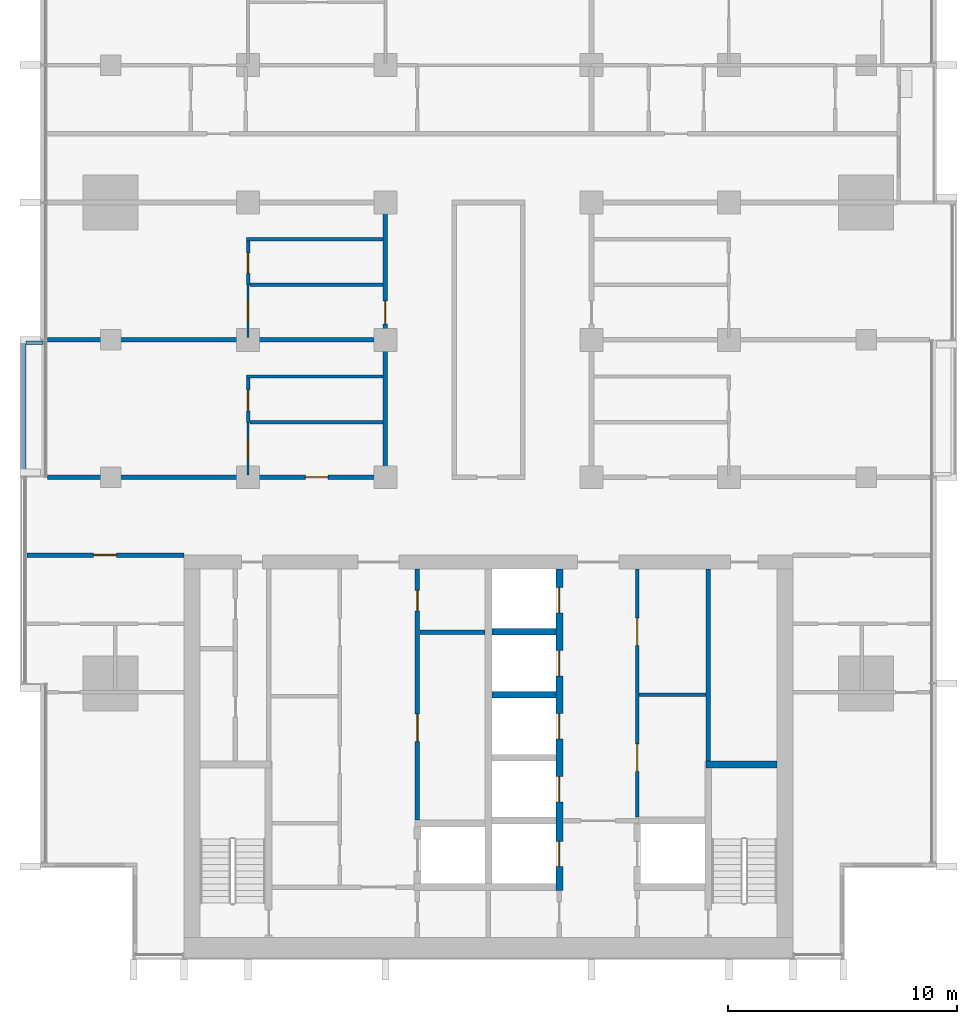
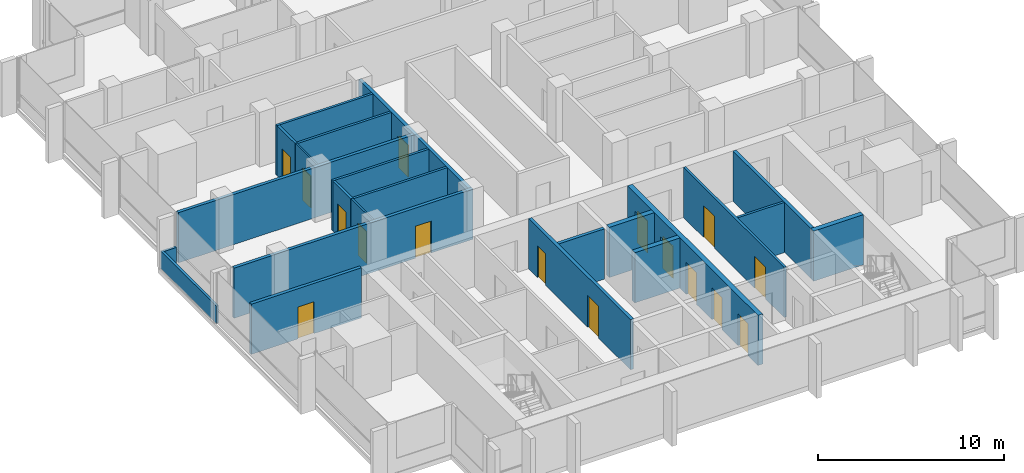
# One storey, part 8 of 16: 23 walls, 16 doors, 16 openings.
"""IFC4 building model written with IfcOpenShell, lengths in metres."""

from ifc_helpers import new_model, si_unit, direction, frame, frame_2d, origin, place, context, subcontext, project, spatial, rectangle, extrude, material, layer, layer_set, type_object, element, fill, save


model = new_model("IFC4")

# Units and contexts
model_context = context("Model", 3, precision=1e-05, world=origin(), true_north=direction((0.0, 1.0)))
body_context = subcontext(model_context, "Body", "Model", "MODEL_VIEW")
ifc_project = project(units=[si_unit("LENGTHUNIT", "METRE"), si_unit("AREAUNIT", "SQUARE_METRE"), si_unit("VOLUMEUNIT", "CUBIC_METRE"), si_unit("PLANEANGLEUNIT", "RADIAN"), si_unit("MASSUNIT", "GRAM", prefix="KILO")], contexts=[model_context])

# Site, building, storey
site_placement = place(None, origin())
site = spatial("IfcSite", under=ifc_project, at=site_placement, CompositionType="ELEMENT")
building_placement = place(site_placement, origin())
building = spatial("IfcBuilding", under=site, at=building_placement, Name="Finial Court Residences", CompositionType="ELEMENT")
storey_placement = place(building_placement, frame((0.0, 0.0, 160.10009765625)))
storey = spatial("IfcBuildingStorey", under=building, at=storey_placement, Name="L39", CompositionType="ELEMENT", Elevation=160.10009765625)

# Walls
ifc_material_1 = material(Name="Gypsum board")
ifc_layer_1 = layer(ifc_material_1, 0.02490234375)
ifc_material_2 = material(Name="Acoustic mineral wool in double frame")
ifc_layer_2 = layer(ifc_material_2, 0.14990234375)
ifc_layer_3 = layer(ifc_material_1, 0.02490234375)
ifc_layer_set_1 = layer_set([ifc_layer_1, ifc_layer_2, ifc_layer_3], Name="Acoustic party wall 200, 1 hour")
wall_type_1 = type_object("IfcWallType", Name="Acoustic party wall 200, 1 hour", PredefinedType="PARTITIONING", material=ifc_layer_set_1)
wall_1_placement = place(storey_placement, frame((-19.262451171875, 1.5, 0.0), z_axis=(0.0, 0.0, 1.0), x_axis=(1.0, 0.0, 0.0)))
element("IfcWall", 1, at=wall_1_placement, inside=storey, type_object=wall_type_1, Name="Partition L39-013", PredefinedType="PARTITIONING", context=body_context, shape_type="SweptSolid", body=[
    extrude(rectangle(XDim=14.662353515625, YDim=0.199951171875, at=frame_2d((7.3310546875, 0.0))), origin(), (0.0, 0.0, 1.0), 3.2998046875),
])
ifc_material_3 = material(Name="Fire-rated gypsum board partition")
ifc_layer_4 = layer(ifc_material_3, 0.14990234375)
ifc_layer_set_2 = layer_set([ifc_layer_4], Name="Core room partition 150 EI 60")
wall_type_2 = type_object("IfcWallType", Name="Core room partition 150 EI 60", PredefinedType="PARTITIONING", material=ifc_layer_set_2)
wall_2_placement = place(storey_placement, frame((6.574951171875, -14.0, 0.0), z_axis=(0.0, 0.0, 1.0), x_axis=(1.0, 0.0, 0.0)))
element("IfcWall", 2, at=wall_2_placement, inside=storey, type_object=wall_type_2, Name="Core partition L39-14", PredefinedType="PARTITIONING", context=body_context, shape_type="SweptSolid", body=[
    extrude(rectangle(XDim=2.925048828125, YDim=0.14990234375, at=frame_2d((1.46240234375, 0.0))), origin(), (0.0, 0.0, 1.0), 3.2998046875),
])

# Wall, openings, doors
wall_3_placement = place(storey_placement, frame((6.5, -8.5, 0.0), z_axis=(0.0, 0.0, 1.0), x_axis=(0.0, -1.0, 0.0)))
wall_3 = element("IfcWall", 3, at=wall_3_placement, inside=storey, type_object=wall_type_2, Name="Core partition L39-32", PredefinedType="PARTITIONING", context=body_context, shape_type="SweptSolid", body=[
    extrude(rectangle(XDim=10.85009765625, YDim=0.14990234375, at=frame_2d((5.425048828125, 0.0))), origin(), (0.0, 0.0, 1.0), 3.2998046875),
])
opening_1_placement = place(wall_3_placement, frame((7.64990234375, 0.0, 0.0)))
opening_1 = element("IfcOpeningElement", 4, at=opening_1_placement, cuts=wall_3, Name="Opening L39-C17", PredefinedType="OPENING", context=body_context, shape_type="SweptSolid", body=[
    extrude(rectangle(XDim=1.199951171875, YDim=2.10009765625, at=frame_2d((0.60009765625, 1.050048828125))), frame((0.0, 0.0849609375, 0.0), z_axis=(0.0, -1.0, 0.0), x_axis=(1.0, 0.0, 0.0)), (0.0, 0.0, 1.0), 0.169921875),
])
opening_2_placement = place(wall_3_placement, frame((2.14990234375, 0.0, 0.0)))
opening_2 = element("IfcOpeningElement", 5, at=opening_2_placement, cuts=wall_3, Name="Opening L39-C18", PredefinedType="OPENING", context=body_context, shape_type="SweptSolid", body=[
    extrude(rectangle(XDim=1.199951171875, YDim=2.10009765625, at=frame_2d((0.60009765625, 1.050048828125))), frame((0.0, 0.0849609375, 0.0), z_axis=(0.0, -1.0, 0.0), x_axis=(1.0, 0.0, 0.0)), (0.0, 0.0, 1.0), 0.169921875),
])
ifc_material_4 = material(Name="Steel fire door", Category="steel")
door_type_1 = type_object("IfcDoorType", Name="Core room door 1200 x 2100 EI 60", OperationType="NOTDEFINED", PredefinedType="DOOR", material=ifc_material_4)
door_1_placement = place(opening_1_placement, origin())
door_1 = element("IfcDoor", 6, at=door_1_placement, inside=storey, type_object=door_type_1, Name="Core room door L39-C17", OperationType="SINGLE_SWING_RIGHT", OverallHeight=2.10009765625, OverallWidth=1.199951171875, PredefinedType="DOOR", context=body_context, shape_type="SweptSolid", body=[
    extrude(rectangle(XDim=1.199951171875, YDim=2.10009765625, at=frame_2d((0.60009765625, 1.050048828125))), frame((0.0, 0.02490234375, 0.0), z_axis=(0.0, -1.0, 0.0), x_axis=(1.0, 0.0, 0.0)), (0.0, 0.0, 1.0), 0.050048828125),
])
fill(opening_1, door_1)
door_2_placement = place(opening_2_placement, origin())
door_2 = element("IfcDoor", 7, at=door_2_placement, inside=storey, type_object=door_type_1, Name="Core room door L39-C18", OperationType="SINGLE_SWING_RIGHT", OverallHeight=2.10009765625, OverallWidth=1.199951171875, PredefinedType="DOOR", context=body_context, shape_type="SweptSolid", body=[
    extrude(rectangle(XDim=1.199951171875, YDim=2.10009765625, at=frame_2d((0.60009765625, 1.050048828125))), frame((0.0, 0.02490234375, 0.0), z_axis=(0.0, -1.0, 0.0), x_axis=(1.0, 0.0, 0.0)), (0.0, 0.0, 1.0), 0.050048828125),
])
fill(opening_2, door_2)

# Wall, opening, door
ifc_layer_5 = layer(ifc_material_1, 0.02490234375)
ifc_layer_6 = layer(ifc_material_2, 0.14990234375)
ifc_layer_7 = layer(ifc_material_1, 0.02490234375)
ifc_layer_set_3 = layer_set([ifc_layer_5, ifc_layer_6, ifc_layer_7], Name="Corridor wall 200, 1 hour")
wall_type_3 = type_object("IfcWallType", Name="Corridor wall 200, 1 hour", PredefinedType="PARTITIONING", material=ifc_layer_set_3)
wall_4_placement = place(storey_placement, frame((-20.16259765625, -7.89990234375, 0.0), z_axis=(0.0, 0.0, 1.0), x_axis=(1.0, 0.0, 0.0)))
wall_4 = element("IfcWall", 8, at=wall_4_placement, inside=storey, type_object=wall_type_3, Name="Partition L39-004", PredefinedType="PARTITIONING", context=body_context, shape_type="SweptSolid", body=[
    extrude(rectangle(XDim=6.862548828125, YDim=0.199951171875, at=frame_2d((3.43115234375, 0.0))), origin(), (0.0, 0.0, 1.0), 3.2998046875),
])
opening_3_placement = place(wall_4_placement, frame((2.9130859375, 0.0, 0.0)))
opening_3 = element("IfcOpeningElement", 9, at=opening_3_placement, cuts=wall_4, Name="Opening L39-D007", PredefinedType="OPENING", context=body_context, shape_type="SweptSolid", body=[
    extrude(rectangle(XDim=1.0, YDim=2.10009765625, at=frame_2d((0.5, 1.050048828125))), frame((0.0, 0.10986328125, 0.0), z_axis=(0.0, -1.0, 0.0), x_axis=(1.0, 0.0, 0.0)), (0.0, 0.0, 1.0), 0.219970703125),
])
ifc_material_5 = material(Name="Timber door leaf in hollow metal frame", Category="wood")
door_type_2 = type_object("IfcDoorType", Name="Fire door set 1000 x 2100, 30 minutes", OperationType="SINGLE_SWING_LEFT", PredefinedType="DOOR", material=ifc_material_5)
door_3_placement = place(opening_3_placement, origin())
door_3 = element("IfcDoor", 10, at=door_3_placement, inside=storey, type_object=door_type_2, Name="Door L39-D007", OperationType="SINGLE_SWING_LEFT", OverallHeight=2.10009765625, OverallWidth=1.0, PredefinedType="DOOR", context=body_context, shape_type="SweptSolid", body=[
    extrude(rectangle(XDim=1.0, YDim=2.10009765625, at=frame_2d((0.5, 1.050048828125))), frame((0.0, 0.02490234375, 0.0), z_axis=(0.0, -1.0, 0.0), x_axis=(1.0, 0.0, 0.0)), (0.0, 0.0, 1.0), 0.050048828125),
])
fill(opening_3, door_3)

wall_5_placement = place(storey_placement, frame((-19.262451171875, -4.5, 0.0), z_axis=(0.0, 0.0, 1.0), x_axis=(1.0, 0.0, 0.0)))
wall_5 = element("IfcWall", 11, at=wall_5_placement, inside=storey, type_object=wall_type_3, Name="Partition L39-006", PredefinedType="PARTITIONING", context=body_context, shape_type="SweptSolid", body=[
    extrude(rectangle(XDim=14.862548828125, YDim=0.199951171875, at=frame_2d((7.43115234375, 0.0))), origin(), (0.0, 0.0, 1.0), 3.2998046875),
])
opening_4_placement = place(wall_5_placement, frame((11.261962890625, 0.0, 0.0)))
opening_4 = element("IfcOpeningElement", 12, at=opening_4_placement, cuts=wall_5, Name="Opening L39-D009", PredefinedType="OPENING", context=body_context, shape_type="SweptSolid", body=[
    extrude(rectangle(XDim=1.0, YDim=2.10009765625, at=frame_2d((0.5, 1.050048828125))), frame((0.0, 0.10986328125, 0.0), z_axis=(0.0, -1.0, 0.0), x_axis=(1.0, 0.0, 0.0)), (0.0, 0.0, 1.0), 0.219970703125),
])
door_4_placement = place(opening_4_placement, origin())
door_4 = element("IfcDoor", 13, at=door_4_placement, inside=storey, type_object=door_type_2, Name="Door L39-D009", OperationType="SINGLE_SWING_LEFT", OverallHeight=2.10009765625, OverallWidth=1.0, PredefinedType="DOOR", context=body_context, shape_type="SweptSolid", body=[
    extrude(rectangle(XDim=1.0, YDim=2.10009765625, at=frame_2d((0.5, 1.050048828125))), frame((0.0, 0.02490234375, 0.0), z_axis=(0.0, -1.0, 0.0), x_axis=(1.0, 0.0, 0.0)), (0.0, 0.0, 1.0), 0.050048828125),
])
fill(opening_4, door_4)

wall_6_placement = place(storey_placement, frame((-4.5, -4.39990234375, 0.0), z_axis=(0.0, 0.0, 1.0), x_axis=(0.0, 1.0, 0.0)))
wall_6 = element("IfcWall", 14, at=wall_6_placement, inside=storey, type_object=wall_type_3, Name="Partition L39-042", PredefinedType="PARTITIONING", context=body_context, shape_type="SweptSolid", body=[
    extrude(rectangle(XDim=11.7998046875, YDim=0.199951171875, at=frame_2d((5.89990234375, 0.0))), origin(), (0.0, 0.0, 1.0), 3.2998046875),
])
opening_5_placement = place(wall_6_placement, frame((6.60009765625, 0.0, 0.0)))
opening_5 = element("IfcOpeningElement", 15, at=opening_5_placement, cuts=wall_6, Name="Opening L39-D025", PredefinedType="OPENING", context=body_context, shape_type="SweptSolid", body=[
    extrude(rectangle(XDim=1.0, YDim=2.10009765625, at=frame_2d((0.5, 1.050048828125))), frame((0.0, 0.10986328125, 0.0), z_axis=(0.0, -1.0, 0.0), x_axis=(1.0, 0.0, 0.0)), (0.0, 0.0, 1.0), 0.219970703125),
])
door_5_placement = place(opening_5_placement, origin())
door_5 = element("IfcDoor", 16, at=door_5_placement, inside=storey, type_object=door_type_2, Name="Door L39-D025", OperationType="SINGLE_SWING_LEFT", OverallHeight=2.10009765625, OverallWidth=1.0, PredefinedType="DOOR", context=body_context, shape_type="SweptSolid", body=[
    extrude(rectangle(XDim=1.0, YDim=2.10009765625, at=frame_2d((0.5, 1.050048828125))), frame((0.0, 0.02490234375, 0.0), z_axis=(0.0, -1.0, 0.0), x_axis=(1.0, 0.0, 0.0)), (0.0, 0.0, 1.0), 0.050048828125),
])
fill(opening_5, door_5)

ifc_layer_8 = layer(ifc_material_1, 0.012451171875)
ifc_material_6 = material(Name="Mineral wool in light-gauge frame")
ifc_layer_9 = layer(ifc_material_6, 0.074951171875)
ifc_layer_10 = layer(ifc_material_1, 0.012451171875)
ifc_layer_set_4 = layer_set([ifc_layer_8, ifc_layer_9, ifc_layer_10], Name="Gypsum board partition 100")
wall_type_4 = type_object("IfcWallType", Name="Gypsum board partition 100", PredefinedType="PARTITIONING", material=ifc_layer_set_4)
wall_7_placement = place(storey_placement, frame((-10.5, -4.39990234375, 0.0), z_axis=(0.0, 0.0, 1.0), x_axis=(0.0, 1.0, 0.0)))
wall_7 = element("IfcWall", 17, at=wall_7_placement, inside=storey, type_object=wall_type_4, Name="Partition L39-037", PredefinedType="PARTITIONING", context=body_context, shape_type="SweptSolid", body=[
    extrude(rectangle(XDim=2.2998046875, YDim=0.10009765625, at=frame_2d((1.14990234375, 0.0))), origin(), (0.0, 0.0, 1.0), 3.2998046875),
])
opening_6_placement = place(wall_7_placement, frame((0.699951171875, 0.0, 0.0)))
opening_6 = element("IfcOpeningElement", 18, at=opening_6_placement, cuts=wall_7, Name="Opening L39-D020", PredefinedType="OPENING", context=body_context, shape_type="SweptSolid", body=[
    extrude(rectangle(XDim=0.89990234375, YDim=2.10009765625, at=frame_2d((0.449951171875, 1.050048828125))), frame((0.0, 0.06005859375, 0.0), z_axis=(0.0, -1.0, 0.0), x_axis=(1.0, 0.0, 0.0)), (0.0, 0.0, 1.0), 0.1201171875),
])
ifc_material_7 = material(Name="Timber door leaf in timber frame", Category="wood")
door_type_3 = type_object("IfcDoorType", Name="Door set 900 x 2100", OperationType="SINGLE_SWING_LEFT", PredefinedType="DOOR", material=ifc_material_7)
door_6_placement = place(opening_6_placement, origin())
door_6 = element("IfcDoor", 19, at=door_6_placement, inside=storey, type_object=door_type_3, Name="Door L39-D020", OperationType="SINGLE_SWING_RIGHT", OverallHeight=2.10009765625, OverallWidth=0.89990234375, PredefinedType="DOOR", context=body_context, shape_type="SweptSolid", body=[
    extrude(rectangle(XDim=0.89990234375, YDim=2.10009765625, at=frame_2d((0.449951171875, 1.050048828125))), frame((0.0, 0.02490234375, 0.0), z_axis=(0.0, -1.0, 0.0), x_axis=(1.0, 0.0, 0.0)), (0.0, 0.0, 1.0), 0.050048828125),
])
fill(opening_6, door_6)

wall_8_placement = place(storey_placement, frame((-10.5, 1.60009765625, 0.0), z_axis=(0.0, 0.0, 1.0), x_axis=(0.0, 1.0, 0.0)))
wall_8 = element("IfcWall", 20, at=wall_8_placement, inside=storey, type_object=wall_type_4, Name="Partition L39-038", PredefinedType="PARTITIONING", context=body_context, shape_type="SweptSolid", body=[
    extrude(rectangle(XDim=2.2998046875, YDim=0.10009765625, at=frame_2d((1.14990234375, 0.0))), origin(), (0.0, 0.0, 1.0), 3.2998046875),
])
opening_7_placement = place(wall_8_placement, frame((0.699951171875, 0.0, 0.0)))
opening_7 = element("IfcOpeningElement", 21, at=opening_7_placement, cuts=wall_8, Name="Opening L39-D021", PredefinedType="OPENING", context=body_context, shape_type="SweptSolid", body=[
    extrude(rectangle(XDim=0.89990234375, YDim=2.10009765625, at=frame_2d((0.449951171875, 1.050048828125))), frame((0.0, 0.06005859375, 0.0), z_axis=(0.0, -1.0, 0.0), x_axis=(1.0, 0.0, 0.0)), (0.0, 0.0, 1.0), 0.1201171875),
])
door_7_placement = place(opening_7_placement, origin())
door_7 = element("IfcDoor", 22, at=door_7_placement, inside=storey, type_object=door_type_3, Name="Door L39-D021", OperationType="SINGLE_SWING_LEFT", OverallHeight=2.10009765625, OverallWidth=0.89990234375, PredefinedType="DOOR", context=body_context, shape_type="SweptSolid", body=[
    extrude(rectangle(XDim=0.89990234375, YDim=2.10009765625, at=frame_2d((0.449951171875, 1.050048828125))), frame((0.0, 0.02490234375, 0.0), z_axis=(0.0, -1.0, 0.0), x_axis=(1.0, 0.0, 0.0)), (0.0, 0.0, 1.0), 0.050048828125),
])
fill(opening_7, door_7)

# Walls
ifc_material_8 = material(Name="Moisture-resistant gypsum board")
ifc_layer_11 = layer(ifc_material_8, 0.012451171875)
ifc_layer_12 = layer(ifc_material_6, 0.125)
ifc_layer_13 = layer(ifc_material_8, 0.012451171875)
ifc_layer_set_5 = layer_set([ifc_layer_11, ifc_layer_12, ifc_layer_13], Name="Gypsum board wet-area partition 150")
wall_type_5 = type_object("IfcWallType", Name="Gypsum board wet-area partition 150", PredefinedType="PARTITIONING", material=ifc_layer_set_5)
wall_9_placement = place(storey_placement, frame((-10.425048828125, -2.10009765625, 0.0), z_axis=(0.0, 0.0, 1.0), x_axis=(1.0, 0.0, 0.0)))
element("IfcWall", 23, at=wall_9_placement, inside=storey, type_object=wall_type_5, Name="Partition L39-009", PredefinedType="PARTITIONING", context=body_context, shape_type="SweptSolid", body=[
    extrude(rectangle(XDim=5.824951171875, YDim=0.14990234375, at=frame_2d((2.91259765625, 0.0))), origin(), (0.0, 0.0, 1.0), 3.2998046875),
])
wall_10_placement = place(storey_placement, frame((-10.574951171875, -0.10009765625, 0.0), z_axis=(0.0, 0.0, 1.0), x_axis=(1.0, 0.0, 0.0)))
element("IfcWall", 24, at=wall_10_placement, inside=storey, type_object=wall_type_5, Name="Partition L39-011", PredefinedType="PARTITIONING", context=body_context, shape_type="SweptSolid", body=[
    extrude(rectangle(XDim=5.974853515625, YDim=0.14990234375, at=frame_2d((2.9873046875, 0.0))), origin(), (0.0, 0.0, 1.0), 3.2998046875),
])
wall_11_placement = place(storey_placement, frame((-10.425048828125, 3.89990234375, 0.0), z_axis=(0.0, 0.0, 1.0), x_axis=(1.0, 0.0, 0.0)))
element("IfcWall", 25, at=wall_11_placement, inside=storey, type_object=wall_type_5, Name="Partition L39-015", PredefinedType="PARTITIONING", context=body_context, shape_type="SweptSolid", body=[
    extrude(rectangle(XDim=5.824951171875, YDim=0.14990234375, at=frame_2d((2.91259765625, 0.0))), origin(), (0.0, 0.0, 1.0), 3.2998046875),
])
wall_12_placement = place(storey_placement, frame((-10.574951171875, 5.89990234375, 0.0), z_axis=(0.0, 0.0, 1.0), x_axis=(1.0, 0.0, 0.0)))
element("IfcWall", 26, at=wall_12_placement, inside=storey, type_object=wall_type_5, Name="Partition L39-017", PredefinedType="PARTITIONING", context=body_context, shape_type="SweptSolid", body=[
    extrude(rectangle(XDim=5.974853515625, YDim=0.14990234375, at=frame_2d((2.9873046875, 0.0))), origin(), (0.0, 0.0, 1.0), 3.2998046875),
])

# Wall, opening, door
wall_13_placement = place(storey_placement, frame((-10.5, -2.10009765625, 0.0), z_axis=(0.0, 0.0, 1.0), x_axis=(0.0, 1.0, 0.0)))
wall_13 = element("IfcWall", 27, at=wall_13_placement, inside=storey, type_object=wall_type_5, Name="Partition L39-040", PredefinedType="PARTITIONING", context=body_context, shape_type="SweptSolid", body=[
    extrude(rectangle(XDim=1.925048828125, YDim=0.14990234375, at=frame_2d((0.96240234375, 0.0))), origin(), (0.0, 0.0, 1.0), 3.2998046875),
])
opening_8_placement = place(wall_13_placement, frame((0.5, 0.0, 0.0)))
opening_8 = element("IfcOpeningElement", 28, at=opening_8_placement, cuts=wall_13, Name="Opening L39-D023", PredefinedType="OPENING", context=body_context, shape_type="SweptSolid", body=[
    extrude(rectangle(XDim=0.89990234375, YDim=2.10009765625, at=frame_2d((0.449951171875, 1.050048828125))), frame((0.0, 0.0849609375, 0.0), z_axis=(0.0, -1.0, 0.0), x_axis=(1.0, 0.0, 0.0)), (0.0, 0.0, 1.0), 0.169921875),
])
door_8_placement = place(opening_8_placement, origin())
door_8 = element("IfcDoor", 29, at=door_8_placement, inside=storey, type_object=door_type_3, Name="Door L39-D023", OperationType="SINGLE_SWING_RIGHT", OverallHeight=2.10009765625, OverallWidth=0.89990234375, PredefinedType="DOOR", context=body_context, shape_type="SweptSolid", body=[
    extrude(rectangle(XDim=0.89990234375, YDim=2.10009765625, at=frame_2d((0.449951171875, 1.050048828125))), frame((0.0, 0.02490234375, 0.0), z_axis=(0.0, -1.0, 0.0), x_axis=(1.0, 0.0, 0.0)), (0.0, 0.0, 1.0), 0.050048828125),
])
fill(opening_8, door_8)

wall_14_placement = place(storey_placement, frame((-10.5, 3.89990234375, 0.0), z_axis=(0.0, 0.0, 1.0), x_axis=(0.0, 1.0, 0.0)))
wall_14 = element("IfcWall", 30, at=wall_14_placement, inside=storey, type_object=wall_type_5, Name="Partition L39-041", PredefinedType="PARTITIONING", context=body_context, shape_type="SweptSolid", body=[
    extrude(rectangle(XDim=1.925048828125, YDim=0.14990234375, at=frame_2d((0.96240234375, 0.0))), origin(), (0.0, 0.0, 1.0), 3.2998046875),
])
opening_9_placement = place(wall_14_placement, frame((0.5, 0.0, 0.0)))
opening_9 = element("IfcOpeningElement", 31, at=opening_9_placement, cuts=wall_14, Name="Opening L39-D024", PredefinedType="OPENING", context=body_context, shape_type="SweptSolid", body=[
    extrude(rectangle(XDim=0.89990234375, YDim=2.10009765625, at=frame_2d((0.449951171875, 1.050048828125))), frame((0.0, 0.0849609375, 0.0), z_axis=(0.0, -1.0, 0.0), x_axis=(1.0, 0.0, 0.0)), (0.0, 0.0, 1.0), 0.169921875),
])
door_9_placement = place(opening_9_placement, origin())
door_9 = element("IfcDoor", 32, at=door_9_placement, inside=storey, type_object=door_type_3, Name="Door L39-D024", OperationType="SINGLE_SWING_LEFT", OverallHeight=2.10009765625, OverallWidth=0.89990234375, PredefinedType="DOOR", context=body_context, shape_type="SweptSolid", body=[
    extrude(rectangle(XDim=0.89990234375, YDim=2.10009765625, at=frame_2d((0.449951171875, 1.050048828125))), frame((0.0, 0.02490234375, 0.0), z_axis=(0.0, -1.0, 0.0), x_axis=(1.0, 0.0, 0.0)), (0.0, 0.0, 1.0), 0.050048828125),
])
fill(opening_9, door_9)

# Walls
ifc_material_9 = material(Name="Concrete C35/45", Category="concrete")
ifc_layer_14 = layer(ifc_material_9, 0.14990234375)
ifc_layer_set_6 = layer_set([ifc_layer_14], Name="Ledge parapet, Concrete C35/45 150")
wall_type_6 = type_object("IfcWallType", Name="Ledge parapet, Concrete C35/45 150", PredefinedType="PARAPET", material=ifc_layer_set_6)
wall_15_placement = place(storey_placement, frame((-20.27490234375, -4.552490234375, 0.0), z_axis=(0.0, 0.0, 1.0), x_axis=(0.0, 1.0, 0.0)))
element("IfcWall", 33, at=wall_15_placement, inside=storey, type_object=wall_type_6, Name="E-L39-LED2-P1", PredefinedType="PARAPET", context=body_context, shape_type="SweptSolid", body=[
    extrude(rectangle(XDim=6.00244140625, YDim=0.14990234375, at=frame_2d((3.001220703125, 0.0))), origin(), (0.0, 0.0, 1.0), 1.14990234375),
])
wall_16_placement = place(storey_placement, frame((-20.199951171875, 1.375, 0.0), z_axis=(0.0, 0.0, 1.0), x_axis=(1.0, 0.0, 0.0)))
element("IfcWall", 34, at=wall_16_placement, inside=storey, type_object=wall_type_6, Name="E-L39-LED2-P2", PredefinedType="PARAPET", context=body_context, shape_type="SweptSolid", body=[
    extrude(rectangle(XDim=0.75244140625, YDim=0.14990234375, at=frame_2d((0.376220703125, 0.0))), origin(), (0.0, 0.0, 1.0), 1.14990234375),
])
ifc_material_10 = material(Name="Concrete C70/85", Category="concrete")
ifc_layer_15 = layer(ifc_material_10, 0.300048828125)
ifc_layer_set_7 = layer_set([ifc_layer_15], Name="Lift shaft and stair wall 300 Concrete C70/85")
wall_type_7 = type_object("IfcWallType", Name="Lift shaft and stair wall 300 Concrete C70/85", PredefinedType="SHEAR", material=ifc_layer_set_7)
wall_17_placement = place(storey_placement, frame((9.5, -17.050048828125, 0.0), z_axis=(0.0, 0.0, 1.0), x_axis=(1.0, 0.0, 0.0)))
element("IfcWall", 35, at=wall_17_placement, inside=storey, type_object=wall_type_7, Name="Core wall L39-10", PredefinedType="SHEAR", context=body_context, shape_type="SweptSolid", body=[
    extrude(rectangle(XDim=3.10009765625, YDim=0.300048828125, at=frame_2d((1.550048828125, 0.0))), origin(), (0.0, 0.0, 1.0), 3.2998046875),
])
for number, where, z_axis, x_axis, name in (
    (36, (0.14990234375, -14.0, 0.0), (0.0, 0.0, 1.0), (1.0, 0.0, 0.0), "Core wall L39-13"),
    (37, (0.14990234375, -11.25, 0.0), (0.0, 0.0, 1.0), (1.0, 0.0, 0.0), "Core wall L39-17"),
):
    element("IfcWall", number, at=place(storey_placement, frame(where, z_axis=z_axis, x_axis=x_axis)), inside=storey, type_object=wall_type_7, Name=name, PredefinedType="SHEAR", context=body_context, shape_type="SweptSolid", body=[
        extrude(rectangle(XDim=2.800048828125, YDim=0.300048828125, at=frame_2d((1.39990234375, 0.0))), origin(), (0.0, 0.0, 1.0), 3.2998046875),
    ])

# Wall, openings, doors
wall_18_placement = place(storey_placement, frame((3.10009765625, -22.550048828125, 0.0), z_axis=(0.0, 0.0, 1.0), x_axis=(0.0, 1.0, 0.0)))
wall_18 = element("IfcWall", 38, at=wall_18_placement, inside=storey, type_object=wall_type_7, Name="Core wall L39-29", PredefinedType="SHEAR", context=body_context, shape_type="SweptSolid", body=[
    extrude(rectangle(XDim=14.050048828125, YDim=0.300048828125, at=frame_2d((7.02490234375, 0.0))), origin(), (0.0, 0.0, 1.0), 3.2998046875),
])
opening_10_placement = place(wall_18_placement, frame((1.050048828125, 0.0, 0.0)))
opening_10 = element("IfcOpeningElement", 39, at=opening_10_placement, cuts=wall_18, Name="Opening L39-LD01", PredefinedType="OPENING", context=body_context, shape_type="SweptSolid", body=[
    extrude(rectangle(XDim=1.10009765625, YDim=2.10009765625, at=frame_2d((0.550048828125, 1.050048828125))), frame((0.0, 0.159912109375, 0.0), z_axis=(0.0, -1.0, 0.0), x_axis=(1.0, 0.0, 0.0)), (0.0, 0.0, 1.0), 0.320068359375),
])
opening_11_placement = place(wall_18_placement, frame((3.875, 0.0, 0.0)))
opening_11 = element("IfcOpeningElement", 40, at=opening_11_placement, cuts=wall_18, Name="Opening L39-LD03", PredefinedType="OPENING", context=body_context, shape_type="SweptSolid", body=[
    extrude(rectangle(XDim=1.10009765625, YDim=2.10009765625, at=frame_2d((0.550048828125, 1.050048828125))), frame((0.0, 0.159912109375, 0.0), z_axis=(0.0, -1.0, 0.0), x_axis=(1.0, 0.0, 0.0)), (0.0, 0.0, 1.0), 0.320068359375),
])
opening_12_placement = place(wall_18_placement, frame((6.625, 0.0, 0.0)))
opening_12 = element("IfcOpeningElement", 41, at=opening_12_placement, cuts=wall_18, Name="Opening L39-LD04", PredefinedType="OPENING", context=body_context, shape_type="SweptSolid", body=[
    extrude(rectangle(XDim=1.10009765625, YDim=2.10009765625, at=frame_2d((0.550048828125, 1.050048828125))), frame((0.0, 0.159912109375, 0.0), z_axis=(0.0, -1.0, 0.0), x_axis=(1.0, 0.0, 0.0)), (0.0, 0.0, 1.0), 0.320068359375),
])
opening_13_placement = place(wall_18_placement, frame((9.375, 0.0, 0.0)))
opening_13 = element("IfcOpeningElement", 42, at=opening_13_placement, cuts=wall_18, Name="Opening L39-LD05", PredefinedType="OPENING", context=body_context, shape_type="SweptSolid", body=[
    extrude(rectangle(XDim=1.10009765625, YDim=2.10009765625, at=frame_2d((0.550048828125, 1.050048828125))), frame((0.0, 0.159912109375, 0.0), z_axis=(0.0, -1.0, 0.0), x_axis=(1.0, 0.0, 0.0)), (0.0, 0.0, 1.0), 0.320068359375),
])
opening_14_placement = place(wall_18_placement, frame((12.125, 0.0, 0.0)))
opening_14 = element("IfcOpeningElement", 43, at=opening_14_placement, cuts=wall_18, Name="Opening L39-LD06", PredefinedType="OPENING", context=body_context, shape_type="SweptSolid", body=[
    extrude(rectangle(XDim=1.10009765625, YDim=2.10009765625, at=frame_2d((0.550048828125, 1.050048828125))), frame((0.0, 0.159912109375, 0.0), z_axis=(0.0, -1.0, 0.0), x_axis=(1.0, 0.0, 0.0)), (0.0, 0.0, 1.0), 0.320068359375),
])
ifc_material_11 = material(Name="Stainless steel lift door", Category="steel")
door_type_4 = type_object("IfcDoorType", Name="Lift landing door 1100 x 2100 EI 90", OperationType="DOUBLE_DOOR_SLIDING", PredefinedType="DOOR", material=ifc_material_11)
door_10_placement = place(opening_10_placement, origin())
door_10 = element("IfcDoor", 44, at=door_10_placement, inside=storey, type_object=door_type_4, Name="Lift landing door FF1 L39", OperationType="DOUBLE_DOOR_SLIDING", OverallHeight=2.10009765625, OverallWidth=1.10009765625, PredefinedType="DOOR", context=body_context, shape_type="SweptSolid", body=[
    extrude(rectangle(XDim=1.10009765625, YDim=2.10009765625, at=frame_2d((0.550048828125, 1.050048828125))), frame((0.0, 0.02490234375, 0.0), z_axis=(0.0, -1.0, 0.0), x_axis=(1.0, 0.0, 0.0)), (0.0, 0.0, 1.0), 0.050048828125),
])
fill(opening_10, door_10)
door_11_placement = place(opening_11_placement, origin())
door_11 = element("IfcDoor", 45, at=door_11_placement, inside=storey, type_object=door_type_4, Name="Lift landing door HR1 L39", OperationType="DOUBLE_DOOR_SLIDING", OverallHeight=2.10009765625, OverallWidth=1.10009765625, PredefinedType="DOOR", context=body_context, shape_type="SweptSolid", body=[
    extrude(rectangle(XDim=1.10009765625, YDim=2.10009765625, at=frame_2d((0.550048828125, 1.050048828125))), frame((0.0, 0.02490234375, 0.0), z_axis=(0.0, -1.0, 0.0), x_axis=(1.0, 0.0, 0.0)), (0.0, 0.0, 1.0), 0.050048828125),
])
fill(opening_11, door_11)
door_12_placement = place(opening_12_placement, origin())
door_12 = element("IfcDoor", 46, at=door_12_placement, inside=storey, type_object=door_type_4, Name="Lift landing door HR2 L39", OperationType="DOUBLE_DOOR_SLIDING", OverallHeight=2.10009765625, OverallWidth=1.10009765625, PredefinedType="DOOR", context=body_context, shape_type="SweptSolid", body=[
    extrude(rectangle(XDim=1.10009765625, YDim=2.10009765625, at=frame_2d((0.550048828125, 1.050048828125))), frame((0.0, 0.02490234375, 0.0), z_axis=(0.0, -1.0, 0.0), x_axis=(1.0, 0.0, 0.0)), (0.0, 0.0, 1.0), 0.050048828125),
])
fill(opening_12, door_12)
door_13_placement = place(opening_13_placement, origin())
door_13 = element("IfcDoor", 47, at=door_13_placement, inside=storey, type_object=door_type_4, Name="Lift landing door HR3 L39", OperationType="DOUBLE_DOOR_SLIDING", OverallHeight=2.10009765625, OverallWidth=1.10009765625, PredefinedType="DOOR", context=body_context, shape_type="SweptSolid", body=[
    extrude(rectangle(XDim=1.10009765625, YDim=2.10009765625, at=frame_2d((0.550048828125, 1.050048828125))), frame((0.0, 0.02490234375, 0.0), z_axis=(0.0, -1.0, 0.0), x_axis=(1.0, 0.0, 0.0)), (0.0, 0.0, 1.0), 0.050048828125),
])
fill(opening_13, door_13)
door_14_placement = place(opening_14_placement, origin())
door_14 = element("IfcDoor", 48, at=door_14_placement, inside=storey, type_object=door_type_4, Name="Lift landing door HR4 L39", OperationType="DOUBLE_DOOR_SLIDING", OverallHeight=2.10009765625, OverallWidth=1.10009765625, PredefinedType="DOOR", context=body_context, shape_type="SweptSolid", body=[
    extrude(rectangle(XDim=1.10009765625, YDim=2.10009765625, at=frame_2d((0.550048828125, 1.050048828125))), frame((0.0, 0.02490234375, 0.0), z_axis=(0.0, -1.0, 0.0), x_axis=(1.0, 0.0, 0.0)), (0.0, 0.0, 1.0), 0.050048828125),
])
fill(opening_14, door_14)

# Wall
ifc_layer_16 = layer(ifc_material_3, 0.199951171875)
ifc_layer_set_8 = layer_set([ifc_layer_16], Name="Riser room wall 200 EI 120")
wall_type_8 = type_object("IfcWallType", Name="Riser room wall 200 EI 120", PredefinedType="PARTITIONING", material=ifc_layer_set_8)
wall_19_placement = place(storey_placement, frame((-3.0, -11.280029296875, 0.0), z_axis=(0.0, 0.0, 1.0), x_axis=(1.0, 0.0, 0.0)))
element("IfcWall", 49, at=wall_19_placement, inside=storey, type_object=wall_type_8, Name="Core partition L39-16", PredefinedType="PARTITIONING", context=body_context, shape_type="SweptSolid", body=[
    extrude(rectangle(XDim=2.85009765625, YDim=0.199951171875, at=frame_2d((1.425048828125, 0.0))), origin(), (0.0, 0.0, 1.0), 3.2998046875),
])

# Wall, openings, doors
wall_20_placement = place(storey_placement, frame((-3.10009765625, -8.5, 0.0), z_axis=(0.0, 0.0, 1.0), x_axis=(0.0, -1.0, 0.0)))
wall_20 = element("IfcWall", 50, at=wall_20_placement, inside=storey, type_object=wall_type_8, Name="Core partition L39-25", PredefinedType="PARTITIONING", context=body_context, shape_type="SweptSolid", body=[
    extrude(rectangle(XDim=10.969970703125, YDim=0.199951171875, at=frame_2d((5.48486328125, 0.0))), origin(), (0.0, 0.0, 1.0), 3.2998046875),
])
opening_15_placement = place(wall_20_placement, frame((6.35009765625, 0.0, 0.0)))
opening_15 = element("IfcOpeningElement", 51, at=opening_15_placement, cuts=wall_20, Name="Opening L39-C08", PredefinedType="OPENING", context=body_context, shape_type="SweptSolid", body=[
    extrude(rectangle(XDim=1.199951171875, YDim=2.10009765625, at=frame_2d((0.60009765625, 1.050048828125))), frame((0.0, 0.10986328125, 0.0), z_axis=(0.0, -1.0, 0.0), x_axis=(1.0, 0.0, 0.0)), (0.0, 0.0, 1.0), 0.219970703125),
])
opening_16_placement = place(wall_20_placement, frame((0.93994140625, 0.0, 0.0)))
opening_16 = element("IfcOpeningElement", 52, at=opening_16_placement, cuts=wall_20, Name="Opening L39-C09", PredefinedType="OPENING", context=body_context, shape_type="SweptSolid", body=[
    extrude(rectangle(XDim=0.89990234375, YDim=2.10009765625, at=frame_2d((0.449951171875, 1.050048828125))), frame((0.0, 0.10986328125, 0.0), z_axis=(0.0, -1.0, 0.0), x_axis=(1.0, 0.0, 0.0)), (0.0, 0.0, 1.0), 0.219970703125),
])
door_type_5 = type_object("IfcDoorType", Name="Riser room door 1200 x 2100 EI 90", OperationType="NOTDEFINED", PredefinedType="DOOR", material=ifc_material_4)
door_15_placement = place(opening_15_placement, origin())
door_15 = element("IfcDoor", 53, at=door_15_placement, inside=storey, type_object=door_type_5, Name="Riser room door L39-C08", OperationType="SINGLE_SWING_RIGHT", OverallHeight=2.10009765625, OverallWidth=1.199951171875, PredefinedType="DOOR", context=body_context, shape_type="SweptSolid", body=[
    extrude(rectangle(XDim=1.199951171875, YDim=2.10009765625, at=frame_2d((0.60009765625, 1.050048828125))), frame((0.0, 0.02490234375, 0.0), z_axis=(0.0, -1.0, 0.0), x_axis=(1.0, 0.0, 0.0)), (0.0, 0.0, 1.0), 0.050048828125),
])
fill(opening_15, door_15)
door_type_6 = type_object("IfcDoorType", Name="Riser room door 900 x 2100 EI 90", OperationType="NOTDEFINED", PredefinedType="DOOR", material=ifc_material_4)
door_16_placement = place(opening_16_placement, origin())
door_16 = element("IfcDoor", 54, at=door_16_placement, inside=storey, type_object=door_type_6, Name="Riser room door L39-C09", OperationType="SINGLE_SWING_RIGHT", OverallHeight=2.10009765625, OverallWidth=0.89990234375, PredefinedType="DOOR", context=body_context, shape_type="SweptSolid", body=[
    extrude(rectangle(XDim=0.89990234375, YDim=2.10009765625, at=frame_2d((0.449951171875, 1.050048828125))), frame((0.0, 0.02490234375, 0.0), z_axis=(0.0, -1.0, 0.0), x_axis=(1.0, 0.0, 0.0)), (0.0, 0.0, 1.0), 0.050048828125),
])
fill(opening_16, door_16)

# Wall
wall_21_placement = place(storey_placement, frame((9.60009765625, -16.89990234375, 0.0), z_axis=(0.0, 0.0, 1.0), x_axis=(0.0, 1.0, 0.0)))
element("IfcWall", 55, at=wall_21_placement, inside=storey, type_object=wall_type_8, Name="Core partition L39-34", PredefinedType="PARTITIONING", context=body_context, shape_type="SweptSolid", body=[
    extrude(rectangle(XDim=8.39990234375, YDim=0.199951171875, at=frame_2d((4.199951171875, 0.0))), origin(), (0.0, 0.0, 1.0), 3.2998046875),
])

save(model, "model.ifc")
